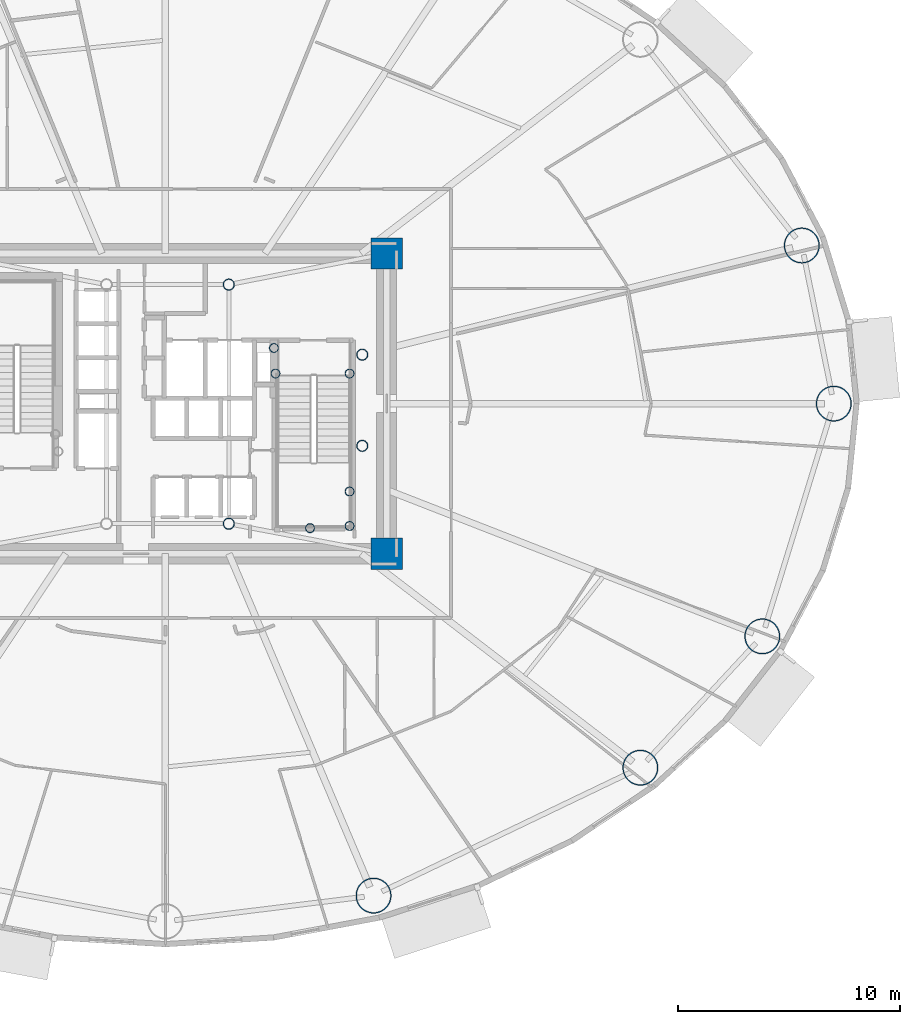
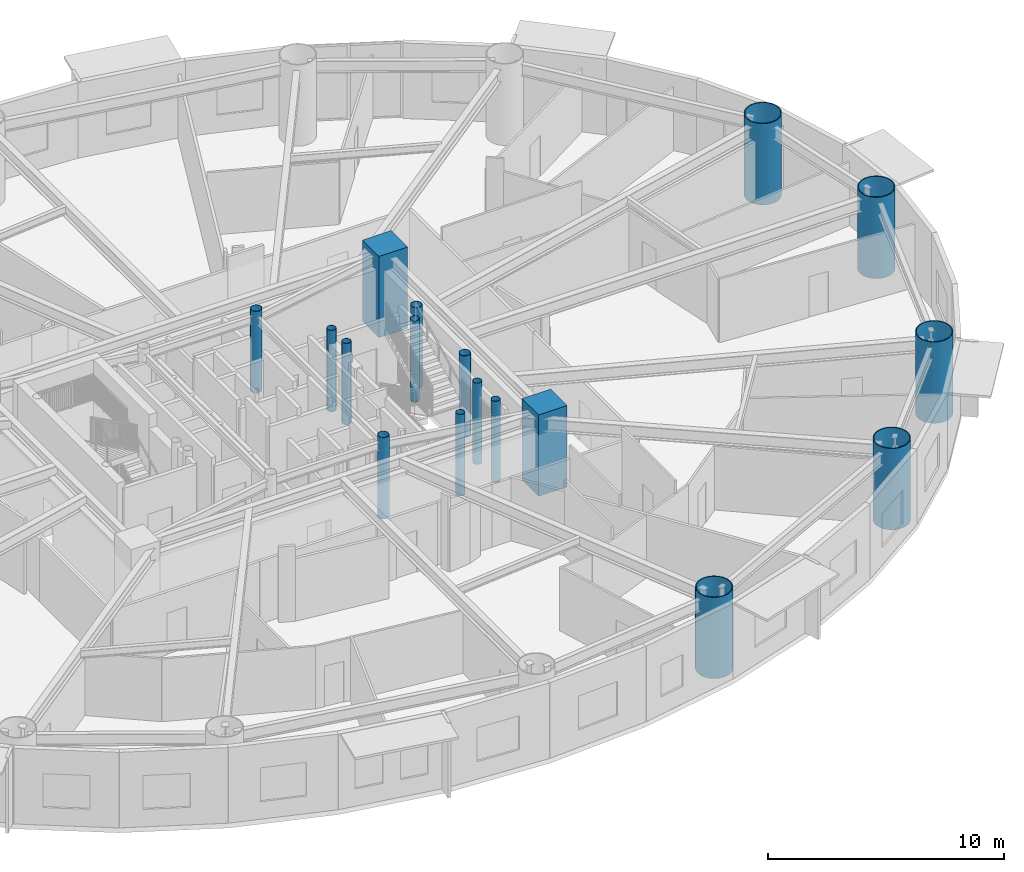
# One storey, part 2 of 21: 17 columns.
"""IFC4 building model written with IfcOpenShell, lengths in metres."""

import ifcopenshell
import ifcopenshell.guid

model = None  # the IFC model being written
_history = None  # IfcOwnerHistory: only IFC2X3 demands one
_inside = {}  # id of a spatial element -> (the spatial element, [elements in it])
_under = {}  # id of a project, library or spatial element -> (it, [spatial elements below it])
_declared = {}  # id of a project -> (the project, [libraries it declares])
_typed = {}  # id of a type object -> (the type object, [elements of that type])
_made_of = {}  # id of a material, layer set ... -> (it, [elements and type objects made of it])


def new_model(schema):
    """Start an empty IFC model of exactly this schema.

    Asked for "IFC4X3", IfcOpenShell would pick the latest addendum, in which some entities
    have other attributes; the version numbers below select the first issue.
    IFC2X3 requires an IfcOwnerHistory on every rooted entity: one is made here for all.
    """
    global model, _history
    if schema == "IFC4X3":
        model = ifcopenshell.file(schema_version=(4, 3, 0, 0))
    else:
        model = ifcopenshell.file(schema=schema)
    _inside.clear()
    _under.clear()
    _declared.clear()
    _typed.clear()
    _made_of.clear()
    _history = None
    if model.schema == "IFC2X3":
        org = make("IfcOrganization", Name="unknown")
        user = make(
            "IfcPersonAndOrganization",
            ThePerson=make("IfcPerson", FamilyName="unknown"),
            TheOrganization=org,
        )
        app = make(
            "IfcApplication",
            ApplicationDeveloper=org,
            Version="unknown",
            ApplicationFullName="unknown",
            ApplicationIdentifier="unknown",
        )
        _history = make(
            "IfcOwnerHistory",
            OwningUser=user,
            OwningApplication=app,
            ChangeAction="ADDED",
            CreationDate=0,
        )
    return model


def make(cls, **values):
    """One entity of the class cls with the attributes given. An attribute that is None is left unset."""
    return model.create_entity(
        cls, **{name: value for name, value in values.items() if value is not None}
    )


def rooted(cls, **values):
    """An entity with a GlobalId (a new one), such as an element, a storey or a relation."""
    return make(cls, GlobalId=ifcopenshell.guid.new(), OwnerHistory=_history, **values)


def si_unit(unit_type, name, prefix=None):
    """IfcSIUnit, for example si_unit("LENGTHUNIT", "METRE", prefix="MILLI")."""
    return make("IfcSIUnit", UnitType=unit_type, Prefix=prefix, Name=name)


def assignment(units):
    """IfcUnitAssignment: the units of a project."""
    return None if units is None else make("IfcUnitAssignment", Units=units)


def point(xyz):
    """IfcCartesianPoint."""
    return None if xyz is None else make("IfcCartesianPoint", Coordinates=xyz)


def direction(xyz):
    """IfcDirection."""
    return None if xyz is None else make("IfcDirection", DirectionRatios=xyz)


def frame(location, z_axis=None, x_axis=None):
    """IfcAxis2Placement3D, a coordinate frame: its origin and axes. An axis left out is left unset."""
    return make(
        "IfcAxis2Placement3D",
        Location=point(location),
        Axis=direction(z_axis),
        RefDirection=direction(x_axis),
    )


def frame_2d(location, x_axis=None):
    """IfcAxis2Placement2D, a coordinate frame in the plane: its origin and x axis."""
    return make(
        "IfcAxis2Placement2D", Location=point(location), RefDirection=direction(x_axis)
    )


def origin():
    """The frame at (0, 0, 0) with its axes left unset."""
    return frame((0.0, 0.0, 0.0))


def origin_2d():
    """The frame at (0, 0) in the plane with its x axis left unset."""
    return frame_2d((0.0, 0.0))


def place(relative_to, where):
    """IfcLocalPlacement: puts the frame where relative to a parent placement (None: the world)."""
    return make(
        "IfcLocalPlacement", PlacementRelTo=relative_to, RelativePlacement=where
    )


def context(
    kind, dimensions, precision=None, world=None, true_north=None, identifier=None
):
    """IfcGeometricRepresentationContext, for example the 3D "Model" context."""
    return make(
        "IfcGeometricRepresentationContext",
        ContextIdentifier=identifier,
        ContextType=kind,
        CoordinateSpaceDimension=dimensions,
        Precision=precision,
        WorldCoordinateSystem=world,
        TrueNorth=true_north,
    )


def subcontext(parent, identifier, kind, view, scale=None):
    """IfcGeometricRepresentationSubContext, for example "Body" below "Model"."""
    return make(
        "IfcGeometricRepresentationSubContext",
        ContextIdentifier=identifier,
        ContextType=kind,
        ParentContext=parent,
        TargetScale=scale,
        TargetView=view,
    )


def project(units=None, contexts=None):
    """IfcProject with its units and contexts."""
    return rooted(
        "IfcProject",
        Name="project",
        RepresentationContexts=contexts,
        UnitsInContext=assignment(units),
    )


def spatial(cls, under=None, at=None, **own):
    """A site, building, storey or space (cls), placed at a placement, below another one or the project."""
    s = rooted(cls, ObjectPlacement=at, **own)
    if under is not None:
        _under.setdefault(under.id(), (under, []))[1].append(s)
    return s


def profile(cls, at=None, kind="AREA", **sizes):
    """A parametric profile (cls). Its sizes go by their IFC names, for example OverallWidth=200.0."""
    return make(cls, ProfileType=kind, Position=at, **sizes)


def rectangle(**sizes):
    """IfcRectangleProfileDef."""
    return profile("IfcRectangleProfileDef", **sizes)


def hollow_circle(**sizes):
    """IfcCircleHollowProfileDef."""
    return profile("IfcCircleHollowProfileDef", **sizes)


def extrude(swept, where, along, depth):
    """IfcExtrudedAreaSolid: the profile swept, set in the frame where, extruded along a direction by depth."""
    return make(
        "IfcExtrudedAreaSolid",
        SweptArea=swept,
        Position=where,
        ExtrudedDirection=direction(along),
        Depth=depth,
    )


def shape(context_of_items, identifier, shape_type, items):
    """IfcShapeRepresentation: the items that make up one representation, for example the "Body"."""
    return make(
        "IfcShapeRepresentation",
        ContextOfItems=context_of_items,
        RepresentationIdentifier=identifier,
        RepresentationType=shape_type,
        Items=items,
    )


def material(Name=None, Category=None):
    """IfcMaterial."""
    return make("IfcMaterial", Name=Name, Category=Category)


def material_profile(
    of_material, cross_section, Name=None, Category=None, Priority=None
):
    """IfcMaterialProfile: a cross section and its material."""
    return make(
        "IfcMaterialProfile",
        Name=Name,
        Material=of_material,
        Profile=cross_section,
        Priority=Priority,
        Category=Category,
    )


def profile_set(profiles, Name=None, composite=None):
    """IfcMaterialProfileSet."""
    return make(
        "IfcMaterialProfileSet",
        Name=Name,
        MaterialProfiles=profiles,
        CompositeProfile=composite,
    )


def made_of(thing, what):
    """Note that an element or type object is made of a material, layer set ...; save() writes the relation."""
    if what is not None:
        _made_of.setdefault(what.id(), (what, []))[1].append(thing)
    return thing


def type_object(cls, material=None, **own):
    """A type object (cls), such as IfcWallType, which elements share."""
    return made_of(rooted(cls, **own), material)


def element(
    cls,
    number,
    at=None,
    inside=None,
    cuts=None,
    type_object=None,
    material=None,
    context=None,
    identifier="Body",
    shape_type=None,
    held_by="IfcProductDefinitionShape",
    body=None,
    shapes=None,
    **own,
):
    """One element of the class cls, such as IfcWall. Its Tag is "e" and its number.

    at: its placement. inside: the storey or other place that contains it. cuts: it is an
    opening in that element (IfcRelVoidsElement). A single representation is given by context,
    identifier, shape_type and body (its items); several are given by shapes. held_by: the class
    of the entity that holds the representations. save() writes the other relations.
    """
    e = rooted(cls, Tag="e%d" % number, ObjectPlacement=at, **own)
    if body is not None:
        shapes = [shape(context, identifier, shape_type, body)]
    if shapes is not None:
        e.Representation = make(held_by, Representations=shapes)
    if inside is not None:
        _inside.setdefault(inside.id(), (inside, []))[1].append(e)
    if cuts is not None:
        rooted(
            "IfcRelVoidsElement", RelatingBuildingElement=cuts, RelatedOpeningElement=e
        )
    if type_object is not None:
        _typed.setdefault(type_object.id(), (type_object, []))[1].append(e)
    return made_of(e, material)


def aggregate(whole, parts):
    """IfcRelAggregates: a whole, such as a stair, and the parts it consists of."""
    return rooted("IfcRelAggregates", RelatingObject=whole, RelatedObjects=parts)


def save(model, path):
    """Write the relations noted so far, then the file.

    IfcRelAggregates (storeys below a building ...), IfcRelContainedInSpatialStructure (elements
    in a storey), IfcRelDefinesByType, IfcRelAssociatesMaterial and IfcRelDeclares: one each for
    every whole, place, type object, material and project.
    """
    for whole, parts in _under.values():
        aggregate(whole, parts)
    for where, things in _inside.values():
        rooted(
            "IfcRelContainedInSpatialStructure",
            RelatedElements=things,
            RelatingStructure=where,
        )
    for kind, things in _typed.values():
        rooted("IfcRelDefinesByType", RelatedObjects=things, RelatingType=kind)
    for what, things in _made_of.values():
        rooted("IfcRelAssociatesMaterial", RelatedObjects=things, RelatingMaterial=what)
    for by, libraries in _declared.values():
        rooted("IfcRelDeclares", RelatingContext=by, RelatedDefinitions=libraries)
    model.write(path)


model = new_model("IFC4")

# Units and contexts
model_context = context("Model", 3, precision=1e-05, world=origin(), true_north=direction((0.0, 1.0)))
body_context = subcontext(model_context, "Body", "Model", "MODEL_VIEW")
ifc_project = project(units=[si_unit("LENGTHUNIT", "METRE"), si_unit("AREAUNIT", "SQUARE_METRE"), si_unit("VOLUMEUNIT", "CUBIC_METRE"), si_unit("PLANEANGLEUNIT", "RADIAN"), si_unit("MASSUNIT", "GRAM", prefix="KILO")], contexts=[model_context])

# Site, building, storey
site_placement = place(None, origin())
site = spatial("IfcSite", under=ifc_project, at=site_placement, CompositionType="ELEMENT")
building_placement = place(site_placement, origin())
building = spatial("IfcBuilding", under=site, at=building_placement, Name="Linh Dai School and Residence Tower", CompositionType="ELEMENT")
storey_placement = place(building_placement, frame((0.0, 0.0, 82.800048828125)))
storey = spatial("IfcBuildingStorey", under=building, at=storey_placement, Name="L19", CompositionType="ELEMENT", Elevation=82.800048828125)

# Columns
ifc_material_1 = material(Name="Concrete B60 (C50/60)", Category="concrete")
ifc_material_profile_1 = material_profile(ifc_material_1, rectangle(XDim=1.39990234375, YDim=1.39990234375, at=origin_2d()), Name="RC 1400x1400")
ifc_profile_set_1 = profile_set([ifc_material_profile_1], Name="Concrete B60 (C50/60)")
column_type_1 = type_object("IfcColumnType", Name="COL-CC1", PredefinedType="COLUMN", material=ifc_profile_set_1)
for number, where, z_axis, x_axis, name in (
    (1, (45.949951171875, 20.25, 0.0), (0.0, 0.0, 1.0), (1.0, 0.0, 0.0), "L19 Core Corner Pier CC2"),
    (2, (45.949951171875, 33.75, 0.0), (0.0, 0.0, 1.0), (1.0, 0.0, 0.0), "L19 Core Corner Pier CC3"),
):
    element("IfcColumn", number, at=place(storey_placement, frame(where, z_axis=z_axis, x_axis=x_axis)), inside=storey, type_object=column_type_1, Name=name, PredefinedType="COLUMN", context=body_context, shape_type="SweptSolid", body=[
        extrude(rectangle(XDim=1.39990234375, YDim=1.39990234375, at=origin_2d()), origin(), (0.0, 0.0, 1.0), 4.199951171875),
    ])
ifc_material_2 = material(Name="Structural Steel S355JR", Category="steel")
ifc_material_profile_2 = material_profile(ifc_material_2, hollow_circle(Radius=0.203125, WallThickness=0.01611328125, at=origin_2d()), Name="CHS 406.4x16")
ifc_profile_set_2 = profile_set([ifc_material_profile_2], Name="Structural Steel S355JR")
column_type_2 = type_object("IfcColumnType", Name="COL-EC", PredefinedType="COLUMN", material=ifc_profile_set_2)
for number, where, z_axis, x_axis, name in (
    (3, (44.280029296875, 21.5, 0.0), (0.0, 0.0, 1.0), (1.0, 0.0, 0.0), "L19 Stair Shaft Landing Support Pier ST2SE"),
    (4, (44.280029296875, 23.050048828125, 0.0), (0.0, 0.0, 1.0), (1.0, 0.0, 0.0), "L19 Stair Shaft Landing Support Pier ST2NE"),
    (5, (42.5, 21.39990234375, 0.0), (0.0, 0.0, 1.0), (1.0, 0.0, 0.0), "L19 Stair Shaft Landing Support Pier ST2MS"),
    (6, (40.949951171875, 28.35009765625, 0.0), (0.0, 0.0, 1.0), (1.0, 0.0, 0.0), "L19 Stair Shaft Landing Support Pier ST2N1"),
    (7, (44.280029296875, 28.35009765625, 0.0), (0.0, 0.0, 1.0), (1.0, 0.0, 0.0), "L19 Stair Shaft Landing Support Pier ST2N2"),
    (8, (40.8798828125, 29.5, 0.0), (0.0, 0.0, 1.0), (1.0, 0.0, 0.0), "L19 Stair Shaft Landing Support Pier ST2N3"),
):
    element("IfcColumn", number, at=place(storey_placement, frame(where, z_axis=z_axis, x_axis=x_axis)), inside=storey, type_object=column_type_2, Name=name, PredefinedType="COLUMN", context=body_context, shape_type="SweptSolid", body=[
        extrude(hollow_circle(Radius=0.203125, WallThickness=0.01611328125, at=origin_2d()), origin(), (0.0, 0.0, 1.0), 4.199951171875),
    ])
ifc_material_profile_3 = material_profile(ifc_material_2, hollow_circle(Radius=0.800048828125, WallThickness=0.044921875, at=origin_2d()), Name="CHS 1600x45")
ifc_profile_set_3 = profile_set([ifc_material_profile_3], Name="Structural Steel S355JR")
column_type_3 = type_object("IfcColumnType", Name="COL-MC2", PredefinedType="COLUMN", material=ifc_profile_set_3)
for number, where, z_axis, x_axis, name in (
    (9, (66.050048828125, 27.0, 0.0), (0.0, 0.0, 1.0), (1.0, 0.0, 0.0), "L19 Perimeter CFT Mega-Column MC01"),
    (10, (64.61083984375, 34.108642578125, 0.0), (0.0, 0.0, 1.0), (1.0, 0.0, 0.0), "L19 Perimeter CFT Mega-Column MC02"),
    (11, (45.357666015625, 4.880126953125, 0.0), (0.0, 0.0, 1.0), (1.0, 0.0, 0.0), "L19 Perimeter CFT Mega-Column MC14"),
    (12, (57.352783203125, 10.630859375, 0.0), (0.0, 0.0, 1.0), (1.0, 0.0, 0.0), "L19 Perimeter CFT Mega-Column MC15"),
    (13, (62.83544921875, 16.5361328125, 0.0), (0.0, 0.0, 1.0), (1.0, 0.0, 0.0), "L19 Perimeter CFT Mega-Column MC16"),
):
    element("IfcColumn", number, at=place(storey_placement, frame(where, z_axis=z_axis, x_axis=x_axis)), inside=storey, type_object=column_type_3, Name=name, PredefinedType="COLUMN", context=body_context, shape_type="SweptSolid", body=[
        extrude(hollow_circle(Radius=0.800048828125, WallThickness=0.044921875, at=origin_2d()), origin(), (0.0, 0.0, 1.0), 4.199951171875),
    ])
ifc_material_profile_4 = material_profile(ifc_material_2, hollow_circle(Radius=0.25390625, WallThickness=0.02001953125, at=origin_2d()), Name="CHS 508x20")
ifc_profile_set_4 = profile_set([ifc_material_profile_4], Name="Structural Steel S355JR")
column_type_4 = type_object("IfcColumnType", Name="COL-MCP", PredefinedType="COLUMN", material=ifc_profile_set_4)
for number, where, z_axis, x_axis, name in (
    (14, (38.85009765625, 21.60009765625, 0.0), (0.0, 0.0, 1.0), (1.0, 0.0, 0.0), "L19 Core Mast Support Pier MCP2"),
    (15, (38.85009765625, 32.35009765625, 0.0), (0.0, 0.0, 1.0), (1.0, 0.0, 0.0), "L19 Core Mast Support Pier MCP3"),
    (16, (44.85009765625, 25.10009765625, 0.0), (0.0, 0.0, 1.0), (1.0, 0.0, 0.0), "L19 Sky-Lounge Core Anchor Pier S"),
    (17, (44.85009765625, 29.199951171875, 0.0), (0.0, 0.0, 1.0), (1.0, 0.0, 0.0), "L19 Sky-Lounge Core Anchor Pier N"),
):
    element("IfcColumn", number, at=place(storey_placement, frame(where, z_axis=z_axis, x_axis=x_axis)), inside=storey, type_object=column_type_4, Name=name, PredefinedType="COLUMN", context=body_context, shape_type="SweptSolid", body=[
        extrude(hollow_circle(Radius=0.25390625, WallThickness=0.02001953125, at=origin_2d()), origin(), (0.0, 0.0, 1.0), 4.199951171875),
    ])

save(model, "model.ifc")
